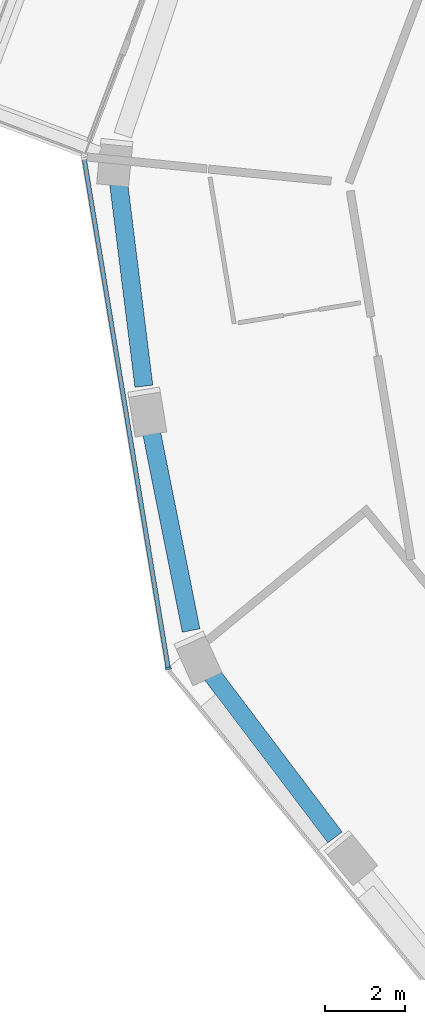
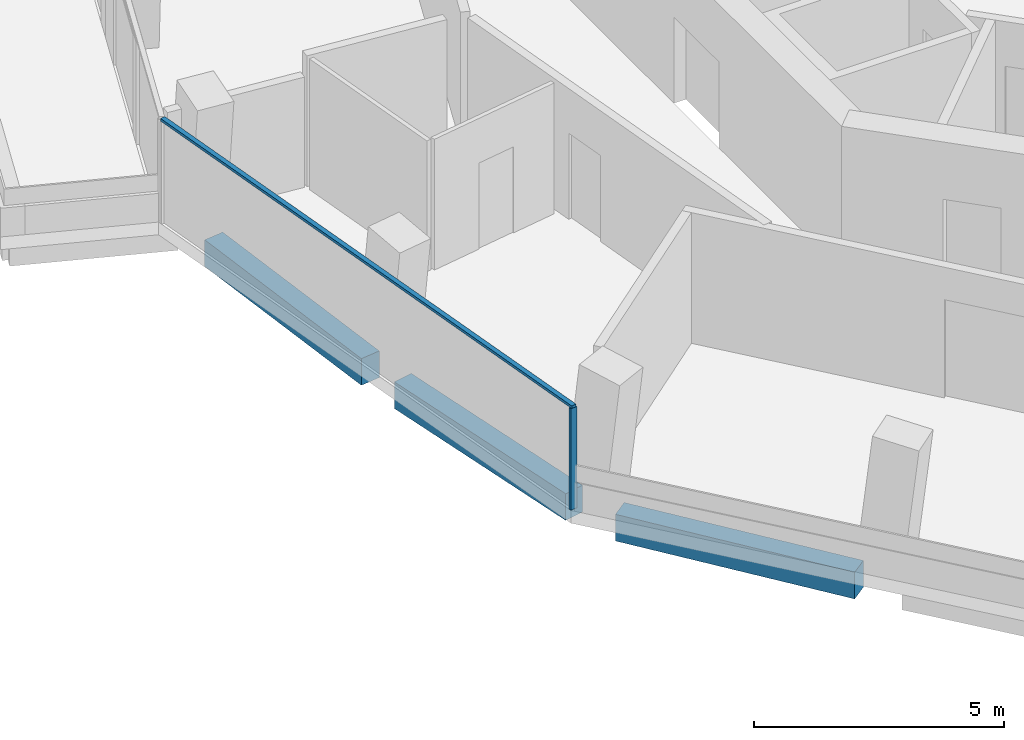
# One storey, part 3 of 21: 3 beams, 2 members, 1 element without a shape of its own.
"""IFC4 building model written with IfcOpenShell, lengths in metres."""

import ifcopenshell
import ifcopenshell.guid

model = None  # the IFC model being written
_history = None  # IfcOwnerHistory: only IFC2X3 demands one
_inside = {}  # id of a spatial element -> (the spatial element, [elements in it])
_under = {}  # id of a project, library or spatial element -> (it, [spatial elements below it])
_declared = {}  # id of a project -> (the project, [libraries it declares])
_typed = {}  # id of a type object -> (the type object, [elements of that type])
_made_of = {}  # id of a material, layer set ... -> (it, [elements and type objects made of it])


def new_model(schema):
    """Start an empty IFC model of exactly this schema.

    Asked for "IFC4X3", IfcOpenShell would pick the latest addendum, in which some entities
    have other attributes; the version numbers below select the first issue.
    IFC2X3 requires an IfcOwnerHistory on every rooted entity: one is made here for all.
    """
    global model, _history
    if schema == "IFC4X3":
        model = ifcopenshell.file(schema_version=(4, 3, 0, 0))
    else:
        model = ifcopenshell.file(schema=schema)
    _inside.clear()
    _under.clear()
    _declared.clear()
    _typed.clear()
    _made_of.clear()
    _history = None
    if model.schema == "IFC2X3":
        org = make("IfcOrganization", Name="unknown")
        user = make(
            "IfcPersonAndOrganization",
            ThePerson=make("IfcPerson", FamilyName="unknown"),
            TheOrganization=org,
        )
        app = make(
            "IfcApplication",
            ApplicationDeveloper=org,
            Version="unknown",
            ApplicationFullName="unknown",
            ApplicationIdentifier="unknown",
        )
        _history = make(
            "IfcOwnerHistory",
            OwningUser=user,
            OwningApplication=app,
            ChangeAction="ADDED",
            CreationDate=0,
        )
    return model


def make(cls, **values):
    """One entity of the class cls with the attributes given. An attribute that is None is left unset."""
    return model.create_entity(
        cls, **{name: value for name, value in values.items() if value is not None}
    )


def rooted(cls, **values):
    """An entity with a GlobalId (a new one), such as an element, a storey or a relation."""
    return make(cls, GlobalId=ifcopenshell.guid.new(), OwnerHistory=_history, **values)


def si_unit(unit_type, name, prefix=None):
    """IfcSIUnit, for example si_unit("LENGTHUNIT", "METRE", prefix="MILLI")."""
    return make("IfcSIUnit", UnitType=unit_type, Prefix=prefix, Name=name)


def assignment(units):
    """IfcUnitAssignment: the units of a project."""
    return None if units is None else make("IfcUnitAssignment", Units=units)


def point(xyz):
    """IfcCartesianPoint."""
    return None if xyz is None else make("IfcCartesianPoint", Coordinates=xyz)


def direction(xyz):
    """IfcDirection."""
    return None if xyz is None else make("IfcDirection", DirectionRatios=xyz)


def frame(location, z_axis=None, x_axis=None):
    """IfcAxis2Placement3D, a coordinate frame: its origin and axes. An axis left out is left unset."""
    return make(
        "IfcAxis2Placement3D",
        Location=point(location),
        Axis=direction(z_axis),
        RefDirection=direction(x_axis),
    )


def frame_2d(location, x_axis=None):
    """IfcAxis2Placement2D, a coordinate frame in the plane: its origin and x axis."""
    return make(
        "IfcAxis2Placement2D", Location=point(location), RefDirection=direction(x_axis)
    )


def origin():
    """The frame at (0, 0, 0) with its axes left unset."""
    return frame((0.0, 0.0, 0.0))


def origin_2d():
    """The frame at (0, 0) in the plane with its x axis left unset."""
    return frame_2d((0.0, 0.0))


def place(relative_to, where):
    """IfcLocalPlacement: puts the frame where relative to a parent placement (None: the world)."""
    return make(
        "IfcLocalPlacement", PlacementRelTo=relative_to, RelativePlacement=where
    )


def context(
    kind, dimensions, precision=None, world=None, true_north=None, identifier=None
):
    """IfcGeometricRepresentationContext, for example the 3D "Model" context."""
    return make(
        "IfcGeometricRepresentationContext",
        ContextIdentifier=identifier,
        ContextType=kind,
        CoordinateSpaceDimension=dimensions,
        Precision=precision,
        WorldCoordinateSystem=world,
        TrueNorth=true_north,
    )


def subcontext(parent, identifier, kind, view, scale=None):
    """IfcGeometricRepresentationSubContext, for example "Body" below "Model"."""
    return make(
        "IfcGeometricRepresentationSubContext",
        ContextIdentifier=identifier,
        ContextType=kind,
        ParentContext=parent,
        TargetScale=scale,
        TargetView=view,
    )


def project(units=None, contexts=None):
    """IfcProject with its units and contexts."""
    return rooted(
        "IfcProject",
        Name="project",
        RepresentationContexts=contexts,
        UnitsInContext=assignment(units),
    )


def spatial(cls, under=None, at=None, **own):
    """A site, building, storey or space (cls), placed at a placement, below another one or the project."""
    s = rooted(cls, ObjectPlacement=at, **own)
    if under is not None:
        _under.setdefault(under.id(), (under, []))[1].append(s)
    return s


def profile(cls, at=None, kind="AREA", **sizes):
    """A parametric profile (cls). Its sizes go by their IFC names, for example OverallWidth=200.0."""
    return make(cls, ProfileType=kind, Position=at, **sizes)


def rectangle(**sizes):
    """IfcRectangleProfileDef."""
    return profile("IfcRectangleProfileDef", **sizes)


def extrude(swept, where, along, depth):
    """IfcExtrudedAreaSolid: the profile swept, set in the frame where, extruded along a direction by depth."""
    return make(
        "IfcExtrudedAreaSolid",
        SweptArea=swept,
        Position=where,
        ExtrudedDirection=direction(along),
        Depth=depth,
    )


def shape(context_of_items, identifier, shape_type, items):
    """IfcShapeRepresentation: the items that make up one representation, for example the "Body"."""
    return make(
        "IfcShapeRepresentation",
        ContextOfItems=context_of_items,
        RepresentationIdentifier=identifier,
        RepresentationType=shape_type,
        Items=items,
    )


def material(Name=None, Category=None):
    """IfcMaterial."""
    return make("IfcMaterial", Name=Name, Category=Category)


def layer(
    of_material, thickness, ventilated=None, Name=None, Category=None, Priority=None
):
    """IfcMaterialLayer: one layer of a wall or slab, of a material (None: an air gap)."""
    return make(
        "IfcMaterialLayer",
        Material=of_material,
        LayerThickness=thickness,
        IsVentilated=ventilated,
        Name=Name,
        Category=Category,
        Priority=Priority,
    )


def layer_set(layers, Name=None):
    """IfcMaterialLayerSet."""
    return make("IfcMaterialLayerSet", MaterialLayers=layers, LayerSetName=Name)


def material_profile(
    of_material, cross_section, Name=None, Category=None, Priority=None
):
    """IfcMaterialProfile: a cross section and its material."""
    return make(
        "IfcMaterialProfile",
        Name=Name,
        Material=of_material,
        Profile=cross_section,
        Priority=Priority,
        Category=Category,
    )


def profile_set(profiles, Name=None, composite=None):
    """IfcMaterialProfileSet."""
    return make(
        "IfcMaterialProfileSet",
        Name=Name,
        MaterialProfiles=profiles,
        CompositeProfile=composite,
    )


def made_of(thing, what):
    """Note that an element or type object is made of a material, layer set ...; save() writes the relation."""
    if what is not None:
        _made_of.setdefault(what.id(), (what, []))[1].append(thing)
    return thing


def type_object(cls, material=None, **own):
    """A type object (cls), such as IfcWallType, which elements share."""
    return made_of(rooted(cls, **own), material)


def element(
    cls,
    number,
    at=None,
    inside=None,
    cuts=None,
    type_object=None,
    material=None,
    context=None,
    identifier="Body",
    shape_type=None,
    held_by="IfcProductDefinitionShape",
    body=None,
    shapes=None,
    **own,
):
    """One element of the class cls, such as IfcWall. Its Tag is "e" and its number.

    at: its placement. inside: the storey or other place that contains it. cuts: it is an
    opening in that element (IfcRelVoidsElement). A single representation is given by context,
    identifier, shape_type and body (its items); several are given by shapes. held_by: the class
    of the entity that holds the representations. save() writes the other relations.
    """
    e = rooted(cls, Tag="e%d" % number, ObjectPlacement=at, **own)
    if body is not None:
        shapes = [shape(context, identifier, shape_type, body)]
    if shapes is not None:
        e.Representation = make(held_by, Representations=shapes)
    if inside is not None:
        _inside.setdefault(inside.id(), (inside, []))[1].append(e)
    if cuts is not None:
        rooted(
            "IfcRelVoidsElement", RelatingBuildingElement=cuts, RelatedOpeningElement=e
        )
    if type_object is not None:
        _typed.setdefault(type_object.id(), (type_object, []))[1].append(e)
    return made_of(e, material)


def aggregate(whole, parts):
    """IfcRelAggregates: a whole, such as a stair, and the parts it consists of."""
    return rooted("IfcRelAggregates", RelatingObject=whole, RelatedObjects=parts)


def save(model, path):
    """Write the relations noted so far, then the file.

    IfcRelAggregates (storeys below a building ...), IfcRelContainedInSpatialStructure (elements
    in a storey), IfcRelDefinesByType, IfcRelAssociatesMaterial and IfcRelDeclares: one each for
    every whole, place, type object, material and project.
    """
    for whole, parts in _under.values():
        aggregate(whole, parts)
    for where, things in _inside.values():
        rooted(
            "IfcRelContainedInSpatialStructure",
            RelatedElements=things,
            RelatingStructure=where,
        )
    for kind, things in _typed.values():
        rooted("IfcRelDefinesByType", RelatedObjects=things, RelatingType=kind)
    for what, things in _made_of.values():
        rooted("IfcRelAssociatesMaterial", RelatedObjects=things, RelatingMaterial=what)
    for by, libraries in _declared.values():
        rooted("IfcRelDeclares", RelatingContext=by, RelatedDefinitions=libraries)
    model.write(path)


model = new_model("IFC4")

# Units and contexts
model_context = context("Model", 3, precision=1e-05, world=origin(), true_north=direction((0.0, 1.0)))
body_context = subcontext(model_context, "Body", "Model", "MODEL_VIEW")
ifc_project = project(units=[si_unit("LENGTHUNIT", "METRE"), si_unit("AREAUNIT", "SQUARE_METRE"), si_unit("VOLUMEUNIT", "CUBIC_METRE"), si_unit("PLANEANGLEUNIT", "RADIAN"), si_unit("MASSUNIT", "GRAM", prefix="KILO")], contexts=[model_context])

# Site, building, storey
site_placement = place(None, origin())
site = spatial("IfcSite", under=ifc_project, at=site_placement, CompositionType="ELEMENT")
building_placement = place(site_placement, origin())
building = spatial("IfcBuilding", under=site, at=building_placement, Name="Verdalira Terraces Hotel", CompositionType="ELEMENT")
storey_placement = place(building_placement, frame((0.0, 0.0, 194.0)))
storey = spatial("IfcBuildingStorey", under=building, at=storey_placement, Name="L47", CompositionType="ELEMENT", Elevation=194.0)

# Curtain wall, members
ifc_material_1 = material(Name="Clear glass", Category="glass")
ifc_layer = layer(ifc_material_1, 0.14990234375)
ifc_layer_set = layer_set([ifc_layer], Name="CW1 curtain wall")
curtain_wall_type = type_object("IfcCurtainWallType", Name="CW1 curtain wall", PredefinedType="NOTDEFINED", material=ifc_layer_set)
curtain_wall_placement = place(storey_placement, origin())
curtain_wall = element("IfcCurtainWall", 1, at=curtain_wall_placement, inside=storey, type_object=curtain_wall_type, Name="CW1 curtain wall L47 edge 12", PredefinedType="NOTDEFINED")
ifc_material_2 = material(Name="Terracotta frame", Category="masonry")
ifc_material_profile_1 = material_profile(ifc_material_2, rectangle(XDim=0.060059, YDim=0.149902, at=origin_2d()), Name="MU 60x150")
ifc_profile_set_1 = profile_set([ifc_material_profile_1], Name="Terracotta frame")
member_type_1 = type_object("IfcMemberType", Name="CW1 mullion 60x150", PredefinedType="MULLION", material=ifc_profile_set_1)
member_1_placement = place(storey_placement, frame((-22.809082, -10.316895, 0.0), z_axis=(0.0, 0.0, 1.0), x_axis=(0.162637165, -0.986685944, 0.0)))
member_1 = element("IfcMember", 2, at=member_1_placement, type_object=member_type_1, Name="CW1 mullion", PredefinedType="MULLION", context=body_context, shape_type="SweptSolid", body=[
    extrude(rectangle(XDim=0.060059, YDim=0.149902, at=origin_2d()), origin(), (0.0, 0.0, 1.0), 2.475098),
])
ifc_material_3 = material(Name="Terracotta frame", Category="masonry")
ifc_material_profile_2 = material_profile(ifc_material_3, rectangle(XDim=0.110107, YDim=0.064941, at=origin_2d()), Name="TR 65x110")
ifc_profile_set_2 = profile_set([ifc_material_profile_2], Name="Terracotta frame")
member_type_2 = type_object("IfcMemberType", Name="CW1 transom 65x110", PredefinedType="USERDEFINED", material=ifc_profile_set_2)
member_2_placement = place(storey_placement, frame((-24.911865, 2.440674, 2.507568), z_axis=(0.162629971, -0.98668713, 0.0), x_axis=(0.98668713, 0.162629971, 0.0)))
member_2 = element("IfcMember", 3, at=member_2_placement, type_object=member_type_2, Name="CW1 transom", ObjectType="TRANSOM", PredefinedType="USERDEFINED", context=body_context, shape_type="SweptSolid", body=[
    extrude(rectangle(XDim=0.110107, YDim=0.064941, at=origin_2d()), origin(), (0.0, 0.0, 1.0), 12.959961),
])
aggregate(curtain_wall, [member_1, member_2])

# Beams
ifc_material_4 = material(Name="Concrete C50", Category="concrete")
ifc_material_profile_3 = material_profile(ifc_material_4, rectangle(XDim=0.449951, YDim=0.649902, at=origin_2d()), Name="RC 450X650")
ifc_profile_set_3 = profile_set([ifc_material_profile_3], Name="Concrete C50")
beam_type = type_object("IfcBeamType", Name="Spandrel beam RC 450X650 C50", PredefinedType="SPANDREL", material=ifc_profile_set_3)
beam_1_placement = place(storey_placement, frame((-24.057861, 1.881104, -0.63501), z_axis=(0.123380766, -0.992359404, 0.0), x_axis=(0.992359404, 0.123380766, 0.0)))
element("IfcBeam", 4, at=beam_1_placement, inside=storey, type_object=beam_type, Name="Spandrel beam B06", PredefinedType="SPANDREL", context=body_context, shape_type="SweptSolid", body=[
    extrude(rectangle(XDim=0.449951, YDim=0.649902, at=origin_2d()), origin(), (0.0, 0.0, 1.0), 5.192139),
])
beam_2_placement = place(storey_placement, frame((-23.252686, -4.286133, -0.63501), z_axis=(0.19566375, -0.980671044, 0.0), x_axis=(0.980671044, 0.19566375, 0.0)))
element("IfcBeam", 5, at=beam_2_placement, inside=storey, type_object=beam_type, Name="Spandrel beam B07", PredefinedType="SPANDREL", context=body_context, shape_type="SweptSolid", body=[
    extrude(rectangle(XDim=0.449951, YDim=0.649902, at=origin_2d()), origin(), (0.0, 0.0, 1.0), 5.189453),
])
beam_3_placement = place(storey_placement, frame((-21.775146, -10.399902, -0.63501), z_axis=(0.602990059, -0.797748701, 0.0), x_axis=(0.797748701, 0.602990059, 0.0)))
element("IfcBeam", 6, at=beam_3_placement, inside=storey, type_object=beam_type, Name="Spandrel beam B08", PredefinedType="SPANDREL", context=body_context, shape_type="SweptSolid", body=[
    extrude(rectangle(XDim=0.449951, YDim=0.649902, at=origin_2d()), origin(), (0.0, 0.0, 1.0), 5.192139),
])

save(model, "model.ifc")
